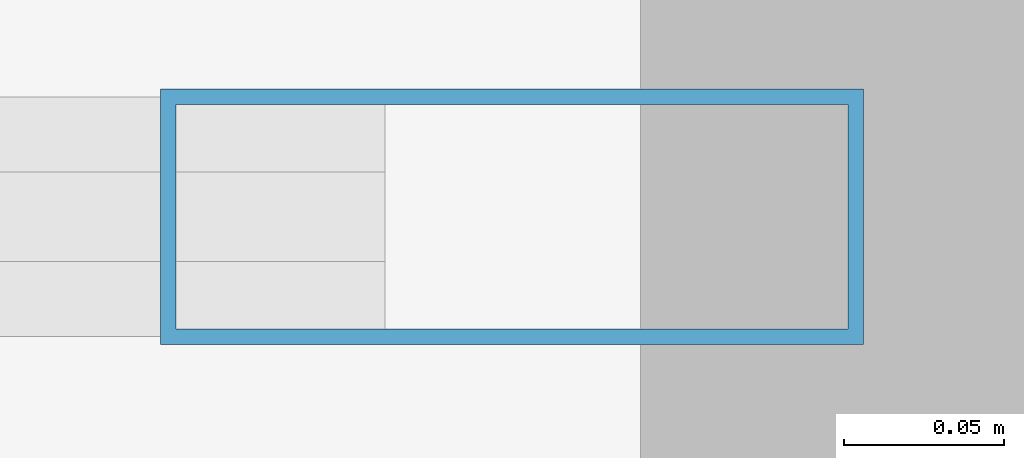
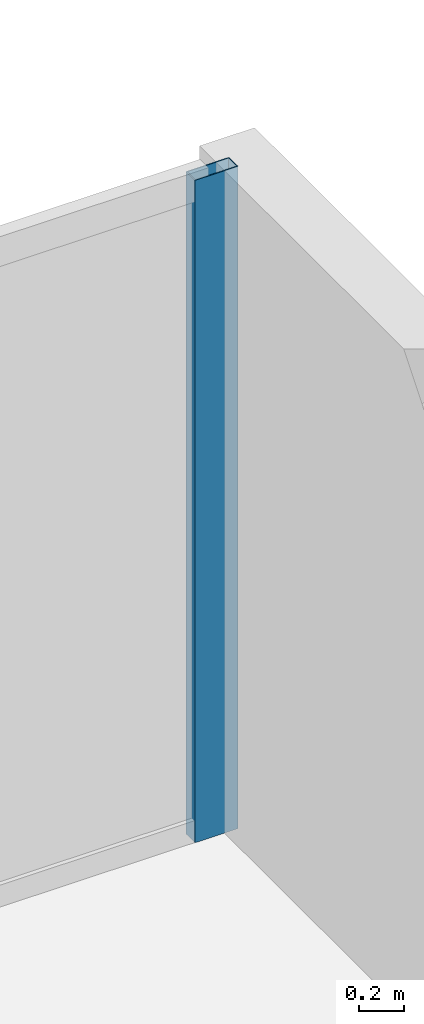
# One storey, part 14 of 24: 1 member, 1 element without a shape of its own.
"""IFC4 building model written with IfcOpenShell, lengths in metres."""

import ifcopenshell
import ifcopenshell.guid

model = None  # the IFC model being written
_history = None  # IfcOwnerHistory: only IFC2X3 demands one
_inside = {}  # id of a spatial element -> (the spatial element, [elements in it])
_under = {}  # id of a project, library or spatial element -> (it, [spatial elements below it])
_declared = {}  # id of a project -> (the project, [libraries it declares])
_typed = {}  # id of a type object -> (the type object, [elements of that type])
_made_of = {}  # id of a material, layer set ... -> (it, [elements and type objects made of it])


def new_model(schema):
    """Start an empty IFC model of exactly this schema.

    Asked for "IFC4X3", IfcOpenShell would pick the latest addendum, in which some entities
    have other attributes; the version numbers below select the first issue.
    IFC2X3 requires an IfcOwnerHistory on every rooted entity: one is made here for all.
    """
    global model, _history
    if schema == "IFC4X3":
        model = ifcopenshell.file(schema_version=(4, 3, 0, 0))
    else:
        model = ifcopenshell.file(schema=schema)
    _inside.clear()
    _under.clear()
    _declared.clear()
    _typed.clear()
    _made_of.clear()
    _history = None
    if model.schema == "IFC2X3":
        org = make("IfcOrganization", Name="unknown")
        user = make(
            "IfcPersonAndOrganization",
            ThePerson=make("IfcPerson", FamilyName="unknown"),
            TheOrganization=org,
        )
        app = make(
            "IfcApplication",
            ApplicationDeveloper=org,
            Version="unknown",
            ApplicationFullName="unknown",
            ApplicationIdentifier="unknown",
        )
        _history = make(
            "IfcOwnerHistory",
            OwningUser=user,
            OwningApplication=app,
            ChangeAction="ADDED",
            CreationDate=0,
        )
    return model


def make(cls, **values):
    """One entity of the class cls with the attributes given. An attribute that is None is left unset."""
    return model.create_entity(
        cls, **{name: value for name, value in values.items() if value is not None}
    )


def rooted(cls, **values):
    """An entity with a GlobalId (a new one), such as an element, a storey or a relation."""
    return make(cls, GlobalId=ifcopenshell.guid.new(), OwnerHistory=_history, **values)


def si_unit(unit_type, name, prefix=None):
    """IfcSIUnit, for example si_unit("LENGTHUNIT", "METRE", prefix="MILLI")."""
    return make("IfcSIUnit", UnitType=unit_type, Prefix=prefix, Name=name)


def assignment(units):
    """IfcUnitAssignment: the units of a project."""
    return None if units is None else make("IfcUnitAssignment", Units=units)


def point(xyz):
    """IfcCartesianPoint."""
    return None if xyz is None else make("IfcCartesianPoint", Coordinates=xyz)


def direction(xyz):
    """IfcDirection."""
    return None if xyz is None else make("IfcDirection", DirectionRatios=xyz)


def frame(location, z_axis=None, x_axis=None):
    """IfcAxis2Placement3D, a coordinate frame: its origin and axes. An axis left out is left unset."""
    return make(
        "IfcAxis2Placement3D",
        Location=point(location),
        Axis=direction(z_axis),
        RefDirection=direction(x_axis),
    )


def frame_2d(location, x_axis=None):
    """IfcAxis2Placement2D, a coordinate frame in the plane: its origin and x axis."""
    return make(
        "IfcAxis2Placement2D", Location=point(location), RefDirection=direction(x_axis)
    )


def origin():
    """The frame at (0, 0, 0) with its axes left unset."""
    return frame((0.0, 0.0, 0.0))


def origin_with_axes():
    """The frame at (0, 0, 0) with the z axis (0, 0, 1) and the x axis (1, 0, 0) written out."""
    return frame((0.0, 0.0, 0.0), z_axis=(0.0, 0.0, 1.0), x_axis=(1.0, 0.0, 0.0))


def origin_2d():
    """The frame at (0, 0) in the plane with its x axis left unset."""
    return frame_2d((0.0, 0.0))


def place(relative_to, where):
    """IfcLocalPlacement: puts the frame where relative to a parent placement (None: the world)."""
    return make(
        "IfcLocalPlacement", PlacementRelTo=relative_to, RelativePlacement=where
    )


def context(
    kind, dimensions, precision=None, world=None, true_north=None, identifier=None
):
    """IfcGeometricRepresentationContext, for example the 3D "Model" context."""
    return make(
        "IfcGeometricRepresentationContext",
        ContextIdentifier=identifier,
        ContextType=kind,
        CoordinateSpaceDimension=dimensions,
        Precision=precision,
        WorldCoordinateSystem=world,
        TrueNorth=true_north,
    )


def subcontext(parent, identifier, kind, view, scale=None):
    """IfcGeometricRepresentationSubContext, for example "Body" below "Model"."""
    return make(
        "IfcGeometricRepresentationSubContext",
        ContextIdentifier=identifier,
        ContextType=kind,
        ParentContext=parent,
        TargetScale=scale,
        TargetView=view,
    )


def project(units=None, contexts=None):
    """IfcProject with its units and contexts."""
    return rooted(
        "IfcProject",
        Name="project",
        RepresentationContexts=contexts,
        UnitsInContext=assignment(units),
    )


def spatial(cls, under=None, at=None, **own):
    """A site, building, storey or space (cls), placed at a placement, below another one or the project."""
    s = rooted(cls, ObjectPlacement=at, **own)
    if under is not None:
        _under.setdefault(under.id(), (under, []))[1].append(s)
    return s


def profile(cls, at=None, kind="AREA", **sizes):
    """A parametric profile (cls). Its sizes go by their IFC names, for example OverallWidth=200.0."""
    return make(cls, ProfileType=kind, Position=at, **sizes)


def hollow_rectangle(**sizes):
    """IfcRectangleHollowProfileDef."""
    return profile("IfcRectangleHollowProfileDef", **sizes)


def extrude(swept, where, along, depth):
    """IfcExtrudedAreaSolid: the profile swept, set in the frame where, extruded along a direction by depth."""
    return make(
        "IfcExtrudedAreaSolid",
        SweptArea=swept,
        Position=where,
        ExtrudedDirection=direction(along),
        Depth=depth,
    )


def shape(context_of_items, identifier, shape_type, items):
    """IfcShapeRepresentation: the items that make up one representation, for example the "Body"."""
    return make(
        "IfcShapeRepresentation",
        ContextOfItems=context_of_items,
        RepresentationIdentifier=identifier,
        RepresentationType=shape_type,
        Items=items,
    )


def source(mapping_origin, context_of_items, identifier, shape_type, items):
    """IfcRepresentationMap: a shape defined once, which mapped items show again and again."""
    return make(
        "IfcRepresentationMap",
        MappingOrigin=mapping_origin,
        MappedRepresentation=shape(context_of_items, identifier, shape_type, items),
    )


def transform(
    local_origin,
    x_axis=None,
    y_axis=None,
    z_axis=None,
    scale=None,
    scale2=None,
    scale3=None,
    uniform=True,
):
    """IfcCartesianTransformationOperator3D, or its non-uniform kind. x_axis, y_axis, z_axis: its Axis1, 2, 3."""
    if uniform:
        return make(
            "IfcCartesianTransformationOperator3D",
            Axis1=direction(x_axis),
            Axis2=direction(y_axis),
            LocalOrigin=point(local_origin),
            Scale=scale,
            Axis3=direction(z_axis),
        )
    return make(
        "IfcCartesianTransformationOperator3DnonUniform",
        Axis1=direction(x_axis),
        Axis2=direction(y_axis),
        LocalOrigin=point(local_origin),
        Scale=scale,
        Axis3=direction(z_axis),
        Scale2=scale2,
        Scale3=scale3,
    )


def mapped(mapping_source, mapping_target):
    """IfcMappedItem: shows the shape of a source again, moved by a transform."""
    return make(
        "IfcMappedItem", MappingSource=mapping_source, MappingTarget=mapping_target
    )


def material(Name=None, Category=None):
    """IfcMaterial."""
    return make("IfcMaterial", Name=Name, Category=Category)


def layer(
    of_material, thickness, ventilated=None, Name=None, Category=None, Priority=None
):
    """IfcMaterialLayer: one layer of a wall or slab, of a material (None: an air gap)."""
    return make(
        "IfcMaterialLayer",
        Material=of_material,
        LayerThickness=thickness,
        IsVentilated=ventilated,
        Name=Name,
        Category=Category,
        Priority=Priority,
    )


def layer_set(layers, Name=None):
    """IfcMaterialLayerSet."""
    return make("IfcMaterialLayerSet", MaterialLayers=layers, LayerSetName=Name)


def material_profile(
    of_material, cross_section, Name=None, Category=None, Priority=None
):
    """IfcMaterialProfile: a cross section and its material."""
    return make(
        "IfcMaterialProfile",
        Name=Name,
        Material=of_material,
        Profile=cross_section,
        Priority=Priority,
        Category=Category,
    )


def profile_set(profiles, Name=None, composite=None):
    """IfcMaterialProfileSet."""
    return make(
        "IfcMaterialProfileSet",
        Name=Name,
        MaterialProfiles=profiles,
        CompositeProfile=composite,
    )


def made_of(thing, what):
    """Note that an element or type object is made of a material, layer set ...; save() writes the relation."""
    if what is not None:
        _made_of.setdefault(what.id(), (what, []))[1].append(thing)
    return thing


def type_object(cls, material=None, **own):
    """A type object (cls), such as IfcWallType, which elements share."""
    return made_of(rooted(cls, **own), material)


def element(
    cls,
    number,
    at=None,
    inside=None,
    cuts=None,
    type_object=None,
    material=None,
    context=None,
    identifier="Body",
    shape_type=None,
    held_by="IfcProductDefinitionShape",
    body=None,
    shapes=None,
    **own,
):
    """One element of the class cls, such as IfcWall. Its Tag is "e" and its number.

    at: its placement. inside: the storey or other place that contains it. cuts: it is an
    opening in that element (IfcRelVoidsElement). A single representation is given by context,
    identifier, shape_type and body (its items); several are given by shapes. held_by: the class
    of the entity that holds the representations. save() writes the other relations.
    """
    e = rooted(cls, Tag="e%d" % number, ObjectPlacement=at, **own)
    if body is not None:
        shapes = [shape(context, identifier, shape_type, body)]
    if shapes is not None:
        e.Representation = make(held_by, Representations=shapes)
    if inside is not None:
        _inside.setdefault(inside.id(), (inside, []))[1].append(e)
    if cuts is not None:
        rooted(
            "IfcRelVoidsElement", RelatingBuildingElement=cuts, RelatedOpeningElement=e
        )
    if type_object is not None:
        _typed.setdefault(type_object.id(), (type_object, []))[1].append(e)
    return made_of(e, material)


def aggregate(whole, parts):
    """IfcRelAggregates: a whole, such as a stair, and the parts it consists of."""
    return rooted("IfcRelAggregates", RelatingObject=whole, RelatedObjects=parts)


def save(model, path):
    """Write the relations noted so far, then the file.

    IfcRelAggregates (storeys below a building ...), IfcRelContainedInSpatialStructure (elements
    in a storey), IfcRelDefinesByType, IfcRelAssociatesMaterial and IfcRelDeclares: one each for
    every whole, place, type object, material and project.
    """
    for whole, parts in _under.values():
        aggregate(whole, parts)
    for where, things in _inside.values():
        rooted(
            "IfcRelContainedInSpatialStructure",
            RelatedElements=things,
            RelatingStructure=where,
        )
    for kind, things in _typed.values():
        rooted("IfcRelDefinesByType", RelatedObjects=things, RelatingType=kind)
    for what, things in _made_of.values():
        rooted("IfcRelAssociatesMaterial", RelatedObjects=things, RelatingMaterial=what)
    for by, libraries in _declared.values():
        rooted("IfcRelDeclares", RelatingContext=by, RelatedDefinitions=libraries)
    model.write(path)


model = new_model("IFC4")

# Units and contexts
model_context = context("Model", 3, precision=1e-05, world=origin(), true_north=direction((0.0, 1.0)))
body_context = subcontext(model_context, "Body", "Model", "MODEL_VIEW")
ifc_project = project(units=[si_unit("LENGTHUNIT", "METRE"), si_unit("AREAUNIT", "SQUARE_METRE"), si_unit("VOLUMEUNIT", "CUBIC_METRE"), si_unit("PLANEANGLEUNIT", "RADIAN"), si_unit("MASSUNIT", "GRAM", prefix="KILO")], contexts=[model_context])

# Site, building, storey
site_placement = place(None, origin())
site = spatial("IfcSite", under=ifc_project, at=site_placement, CompositionType="ELEMENT")
building_placement = place(site_placement, origin())
building = spatial("IfcBuilding", under=site, at=building_placement, Name="Kolvaren Waterfront Exchange", CompositionType="ELEMENT")
storey_placement = place(building_placement, frame((0.0, 0.0, 153.800048828125)))
storey = spatial("IfcBuildingStorey", under=building, at=storey_placement, Name="L39", CompositionType="ELEMENT", Elevation=153.800048828125)

# Curtain wall, member
ifc_material_1 = material(Name="Anodised bronze aluminium 6063-T6", Category="aluminium")
ifc_layer = layer(ifc_material_1, 0.219970703125, Name="Anodised bronze aluminium 6063-T6")
ifc_layer_set = layer_set([ifc_layer], Name="Anodised bronze aluminium 6063-T6")
curtain_wall_type = type_object("IfcCurtainWallType", Name="ARC-CW-SYS1", PredefinedType="USERDEFINED", material=ifc_layer_set)
curtain_wall_placement = place(storey_placement, origin())
curtain_wall = element("IfcCurtainWall", 1, at=curtain_wall_placement, inside=storey, type_object=curtain_wall_type, Name="L39 stick curtain wall CW1 (CW-L39-EN)", ObjectType="STICK CURTAIN WALL", PredefinedType="USERDEFINED")
ifc_material_2 = material(Name="Anodised aluminium 6063-T6", Category="aluminium")
ifc_material_profile = material_profile(ifc_material_2, hollow_rectangle(XDim=0.080078125, YDim=0.219970703125, WallThickness=0.0048828125, at=origin_2d()), Name="ALU-MUL-220x80x5")
ifc_profile_set = profile_set([ifc_material_profile], Name="Anodised aluminium 6063-T6")
member_type = type_object("IfcMemberType", Name="ARC-CWM-220", PredefinedType="MULLION", material=ifc_profile_set)
shared_shape = source(origin_with_axes(), body_context, "Body", "SweptSolid", [
    extrude(hollow_rectangle(XDim=0.080078125, YDim=0.219970703125, WallThickness=0.0048828125, at=origin_2d()), origin(), (0.0, 0.0, 1.0), 3.56005859375),
])
member_placement = place(storey_placement, frame((54.659912109375, 20.9599609375, 0.0), z_axis=(0.0, 0.0, 1.0), x_axis=(0.0, 1.0, 0.0)))
member = element("IfcMember", 2, at=member_placement, type_object=member_type, Name="CW1 mullion 5", PredefinedType="MULLION", context=body_context, shape_type="MappedRepresentation", body=[
    mapped(shared_shape, transform((0.0, 0.0, 0.0), x_axis=(1.0, 0.0, 0.0), y_axis=(0.0, 1.0, 0.0), z_axis=(0.0, 0.0, 1.0), scale=1.0)),
])
aggregate(curtain_wall, [member])

save(model, "model.ifc")
